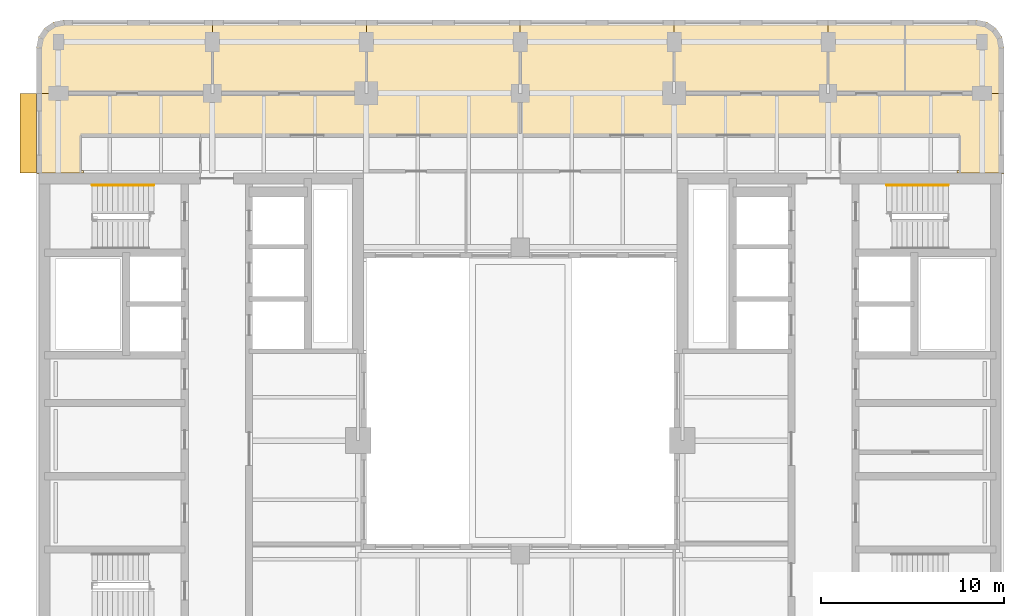
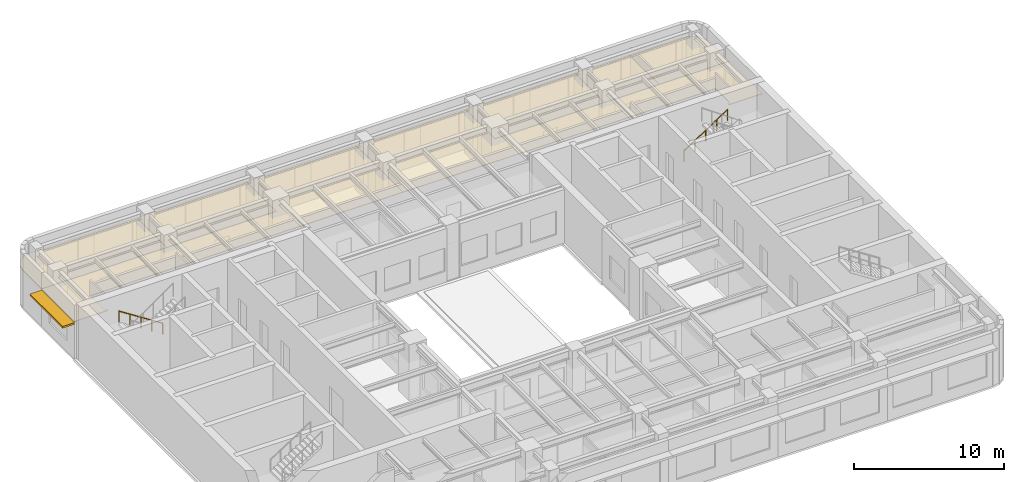
# One storey, part 11 of 11: 7 coverings, 2 railings, 1 shading device.
"""IFC4 building model written with IfcOpenShell, lengths in metres."""

from ifc_helpers import new_model, si_unit, direction, frame, origin, origin_2d, place, context, subcontext, project, spatial, polyline, rectangle, circle, outline, extrude, material, layer, layer_set, type_object, element, save


model = new_model("IFC4")

# Units and contexts
model_context = context("Model", 3, precision=1e-05, world=origin(), true_north=direction((0.0, 1.0)))
body_context = subcontext(model_context, "Body", "Model", "MODEL_VIEW")
ifc_project = project(units=[si_unit("LENGTHUNIT", "METRE"), si_unit("AREAUNIT", "SQUARE_METRE"), si_unit("VOLUMEUNIT", "CUBIC_METRE"), si_unit("PLANEANGLEUNIT", "RADIAN"), si_unit("MASSUNIT", "GRAM", prefix="KILO")], contexts=[model_context])

# Site, building, storey
site_placement = place(None, origin())
site = spatial("IfcSite", under=ifc_project, at=site_placement, CompositionType="ELEMENT")
building_placement = place(site_placement, origin())
building = spatial("IfcBuilding", under=site, at=building_placement, Name="Claustro Exchange Tower", CompositionType="ELEMENT")
storey_placement = place(building_placement, frame((0.0, 0.0, 254.699951171875)))
storey = spatial("IfcBuildingStorey", under=building, at=storey_placement, Name="L58", CompositionType="ELEMENT", Elevation=254.699951171875)

# Coverings
ifc_material_1 = material(Name="Gypsum board ceiling", Category="gypsum board")
ifc_layer_1 = layer(ifc_material_1, 0.02490234375)
ifc_layer_set_1 = layer_set([ifc_layer_1], Name="Gypsum board ceiling")
covering_type_1 = type_object("IfcCoveringType", Name="CL2 plasterboard ceiling", PredefinedType="CEILING", material=ifc_layer_set_1)
covering_1_placement = place(storey_placement, frame((0.0, 0.0, 3.0)))
element("IfcCovering", 1, at=covering_1_placement, inside=storey, type_object=covering_type_1, Name="Ceiling CL2 L58-22", PredefinedType="CEILING", context=body_context, shape_type="SweptSolid", body=[
    extrude(outline(polyline([(42.0, 46.0), (33.60009765625, 46.0), (33.60009765625, 42.0), (42.0, 42.0), (42.0, 46.0)])), origin(), (0.0, 0.0, 1.0), 0.025146484375),
])
covering_2_placement = place(storey_placement, frame((0.0, 0.0, 3.0)))
element("IfcCovering", 2, at=covering_2_placement, inside=storey, type_object=covering_type_1, Name="Ceiling CL2 L58-23", PredefinedType="CEILING", context=body_context, shape_type="SweptSolid", body=[
    extrude(outline(polyline([(46.199951171875, 46.0), (42.0, 46.0), (42.0, 42.0), (46.199951171875, 42.0), (46.199951171875, 46.0)])), origin(), (0.0, 0.0, 1.0), 0.025146484375),
])
covering_3_placement = place(storey_placement, frame((0.0, 0.0, 3.0)))
element("IfcCovering", 3, at=covering_3_placement, inside=storey, type_object=covering_type_1, Name="Ceiling CL2 L58-24", PredefinedType="CEILING", context=body_context, shape_type="SweptSolid", body=[
    extrude(outline(polyline([(50.10009765625, 46.0), (46.199951171875, 46.0), (46.199951171875, 42.0), (51.60009765625, 42.0), (51.60009765625, 44.5), (51.48583984375, 45.073974609375), (51.16064453125, 45.560791015625), (50.674072265625, 45.8857421875), (50.10009765625, 46.0)])), origin(), (0.0, 0.0, 1.0), 0.025146484375),
])
ifc_material_2 = material(Name="Oak slats on acoustic backing", Category="wood")
ifc_layer_2 = layer(ifc_material_2, 0.050048828125)
ifc_layer_set_2 = layer_set([ifc_layer_2], Name="Oak slats on acoustic backing")
covering_type_2 = type_object("IfcCoveringType", Name="CL3 timber slat ceiling", PredefinedType="CEILING", material=ifc_layer_set_2)
covering_4_placement = place(storey_placement, frame((0.0, 0.0, 3.0)))
element("IfcCovering", 4, at=covering_4_placement, inside=storey, type_object=covering_type_2, Name="Ceiling CL3 L58-18", PredefinedType="CEILING", context=body_context, shape_type="SweptSolid", body=[
    extrude(outline(polyline([(-1.050048828125, 37.64990234375), (1.3701171875, 37.64990234375), (1.3701171875, 37.800048828125), (1.199951171875, 37.800048828125), (1.199951171875, 39.699951171875), (25.199951171875, 39.699951171875), (25.199951171875, 46.0), (16.800048828125, 46.0), (16.800048828125, 42.0), (-1.199951171875, 42.0), (-1.199951171875, 37.6298828125), (-1.050048828125, 37.6298828125), (-1.050048828125, 37.64990234375)])), origin(), (0.0, 0.0, 1.0), 0.050048828125),
])
covering_5_placement = place(storey_placement, frame((0.0, 0.0, 3.0)))
element("IfcCovering", 5, at=covering_5_placement, inside=storey, type_object=covering_type_2, Name="Ceiling CL3 L58-19", PredefinedType="CEILING", context=body_context, shape_type="SweptSolid", body=[
    extrude(outline(polyline([(51.449951171875, 37.64990234375), (51.449951171875, 37.6298828125), (51.60009765625, 37.6298828125), (51.60009765625, 42.0), (33.60009765625, 42.0), (33.60009765625, 46.0), (25.199951171875, 46.0), (25.199951171875, 39.699951171875), (49.199951171875, 39.699951171875), (49.199951171875, 37.800048828125), (49.030029296875, 37.800048828125), (49.030029296875, 37.64990234375), (51.449951171875, 37.64990234375)])), origin(), (0.0, 0.0, 1.0), 0.050048828125),
])
covering_6_placement = place(storey_placement, frame((0.0, 0.0, 3.0)))
element("IfcCovering", 6, at=covering_6_placement, inside=storey, type_object=covering_type_2, Name="Ceiling CL3 L58-20", PredefinedType="CEILING", context=body_context, shape_type="SweptSolid", body=[
    extrude(outline(polyline([(-1.199951171875, 44.5), (-1.199951171875, 42.0), (8.39990234375, 42.0), (8.39990234375, 46.0), (0.300048828125, 46.0), (-0.27392578125, 45.8857421875), (-0.7607421875, 45.560791015625), (-1.085693359375, 45.073974609375), (-1.199951171875, 44.5)])), origin(), (0.0, 0.0, 1.0), 0.050048828125),
])
covering_7_placement = place(storey_placement, frame((0.0, 0.0, 3.0)))
element("IfcCovering", 7, at=covering_7_placement, inside=storey, type_object=covering_type_2, Name="Ceiling CL3 L58-21", PredefinedType="CEILING", context=body_context, shape_type="SweptSolid", body=[
    extrude(outline(polyline([(16.800048828125, 46.0), (8.39990234375, 46.0), (8.39990234375, 42.0), (16.800048828125, 42.0), (16.800048828125, 46.0)])), origin(), (0.0, 0.0, 1.0), 0.050048828125),
])

# Railings
ifc_material_3 = material(Name="Stainless steel tube", Category="steel")
railing_type = type_object("IfcRailingType", Name="HR1 900 stair handrail", PredefinedType="HANDRAIL", material=ifc_material_3)
railing_1_placement = place(storey_placement, frame((5.199951171875, 36.989990234375, 0.179931640625)))
element("IfcRailing", 8, at=railing_1_placement, inside=storey, type_object=railing_type, Name="Handrail HR1 stair STWB L58", PredefinedType="HANDRAIL", context=body_context, shape_type="SweptSolid", body=[
    extrude(circle(Radius=0.02392578125, at=origin_2d()), frame((0.0, 0.0, 0.8759765625), z_axis=(-0.841150671818, 0.0, 0.540800838849), x_axis=(0.0, -1.0, 0.0)), (0.0, 0.0, 1.0), 3.994384765625),
    extrude(circle(Radius=0.02099609375, at=origin_2d()), origin(), (0.0, 0.0, 1.0), 0.851806640625),
    extrude(circle(Radius=0.02099609375, at=origin_2d()), frame((-0.83984375, 0.0, 0.5400390625)), (0.0, 0.0, 1.0), 0.851806640625),
    extrude(circle(Radius=0.02099609375, at=origin_2d()), frame((-1.679931640625, 0.0, 1.080078125)), (0.0, 0.0, 1.0), 0.851806640625),
    extrude(circle(Radius=0.02099609375, at=origin_2d()), frame((-2.52001953125, 0.0, 1.6201171875)), (0.0, 0.0, 1.0), 0.851806640625),
    extrude(circle(Radius=0.02099609375, at=origin_2d()), frame((-3.35986328125, 0.0, 2.16015625)), (0.0, 0.0, 1.0), 0.851806640625),
])
railing_2_placement = place(storey_placement, frame((45.199951171875, 36.989990234375, 0.179931640625)))
element("IfcRailing", 9, at=railing_2_placement, inside=storey, type_object=railing_type, Name="Handrail HR1 stair STEB L58", PredefinedType="HANDRAIL", context=body_context, shape_type="SweptSolid", body=[
    extrude(circle(Radius=0.02392578125, at=origin_2d()), frame((0.0, 0.0, 0.8759765625), z_axis=(0.8411685463, 0.0, 0.540773036232), x_axis=(0.0, 1.0, 0.0)), (0.0, 0.0, 1.0), 3.99462890625),
    extrude(circle(Radius=0.02099609375, at=origin_2d()), origin(), (0.0, 0.0, 1.0), 0.851806640625),
    extrude(circle(Radius=0.02099609375, at=origin_2d()), frame((0.840087890625, 0.0, 0.5400390625)), (0.0, 0.0, 1.0), 0.851806640625),
    extrude(circle(Radius=0.02099609375, at=origin_2d()), frame((1.68017578125, 0.0, 1.080078125)), (0.0, 0.0, 1.0), 0.851806640625),
    extrude(circle(Radius=0.02099609375, at=origin_2d()), frame((2.52001953125, 0.0, 1.6201171875)), (0.0, 0.0, 1.0), 0.851806640625),
    extrude(circle(Radius=0.02099609375, at=origin_2d()), frame((3.360107421875, 0.0, 2.16015625)), (0.0, 0.0, 1.0), 0.851806640625),
])

# Shading device
ifc_material_4 = material(Name="Concrete HA-40 (C40/50), precast, white cement, acid-etched", Category="concrete")
ifc_layer_3 = layer(ifc_material_4, 0.14990234375)
ifc_layer_set_3 = layer_set([ifc_layer_3], Name="Concrete HA-40 (C40/50), precast, white cement, acid-etched")
shading_device_type = type_object("IfcShadingDeviceType", Name="SS2 900 precast concrete SUNSHADE", PredefinedType="SHUTTER", material=ifc_layer_set_3)
shading_device_placement = place(storey_placement, frame((-1.64990234375, 39.824951171875, 2.800048828125), z_axis=(0.0, 0.0, 1.0), x_axis=(0.0, 1.0, 0.0)))
element("IfcShadingDevice", 10, at=shading_device_placement, inside=storey, type_object=shading_device_type, Name="Precast SUNSHADE SS2 L58", PredefinedType="SHUTTER", context=body_context, shape_type="SweptSolid", body=[
    extrude(rectangle(XDim=4.35009765625, YDim=0.89990234375, at=origin_2d()), origin(), (0.0, 0.0, 1.0), 0.14990234375),
])

save(model, "model.ifc")
